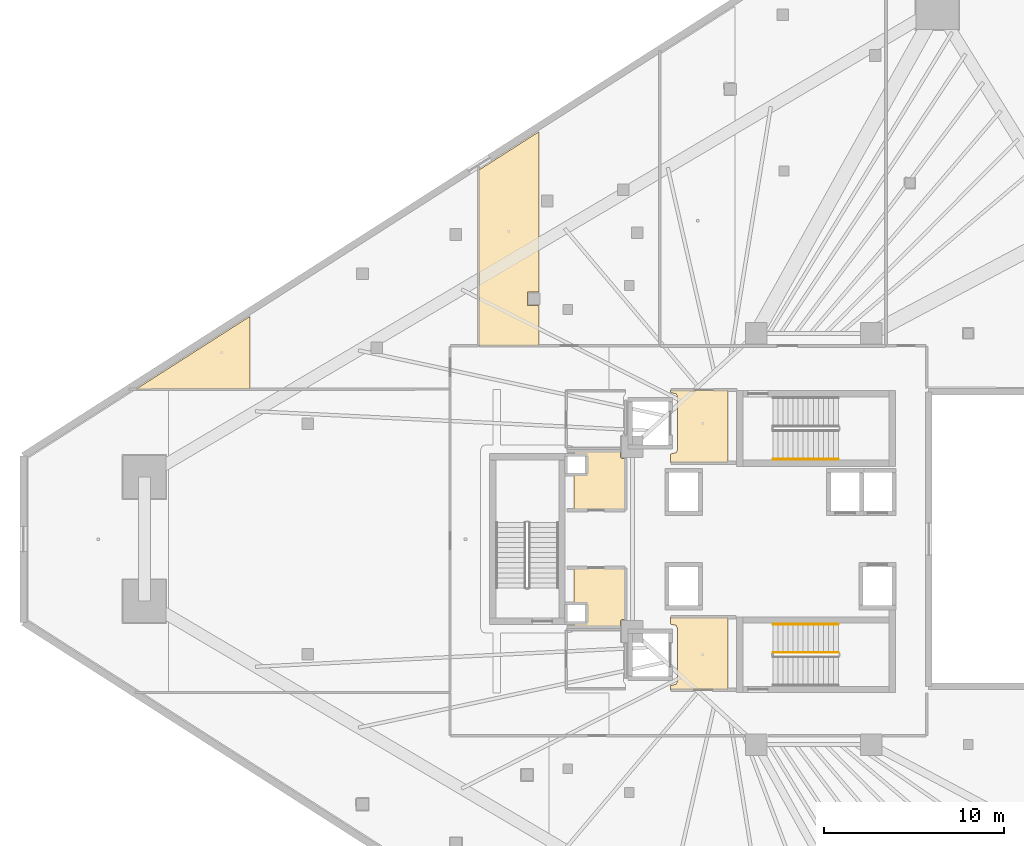
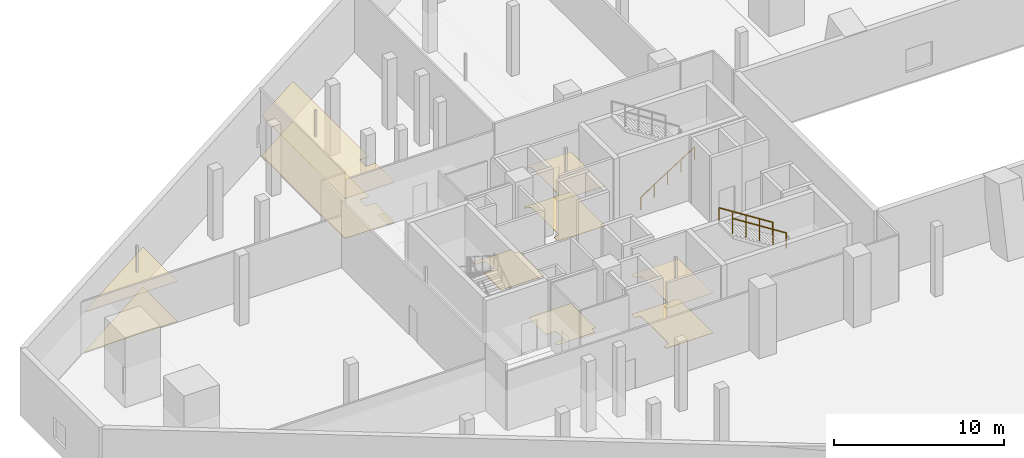
# One storey, part 42 of 46: 10 coverings, 3 railings.
"""IFC4 building model written with IfcOpenShell, lengths in metres."""

from ifc_helpers import new_model, si_unit, direction, frame, origin, origin_2d, place, context, subcontext, project, spatial, polyline, circle, outline, extrude, material, layer, layer_set, type_object, element, save


model = new_model("IFC4")

# Units and contexts
model_context = context("Model", 3, precision=1e-05, world=origin(), true_north=direction((0.0, 1.0)))
body_context = subcontext(model_context, "Body", "Model", "MODEL_VIEW")
ifc_project = project(units=[si_unit("LENGTHUNIT", "METRE"), si_unit("AREAUNIT", "SQUARE_METRE"), si_unit("VOLUMEUNIT", "CUBIC_METRE"), si_unit("PLANEANGLEUNIT", "RADIAN"), si_unit("MASSUNIT", "GRAM", prefix="KILO")], contexts=[model_context])

# Site, building, storey
site_placement = place(None, origin())
site = spatial("IfcSite", under=ifc_project, at=site_placement, CompositionType="ELEMENT")
building_placement = place(site_placement, origin())
building = spatial("IfcBuilding", under=site, at=building_placement, Name="Qorvath Tower", CompositionType="ELEMENT")
storey_placement = place(building_placement, frame((0.0, 0.0, 17.0)))
storey = spatial("IfcBuildingStorey", under=building, at=storey_placement, Name="L03", CompositionType="ELEMENT", Elevation=17.0)

# Coverings
ifc_material_1 = material(Name="Acoustic mineral fibre ceiling tile", Category="gypsum")
ifc_layer_1 = layer(ifc_material_1, 0.030029296875)
ifc_layer_set_1 = layer_set([ifc_layer_1], Name="COV-CEIL")
covering_type_1 = type_object("IfcCoveringType", Name="COV-CEIL", PredefinedType="CEILING", material=ifc_layer_set_1)
covering_1_placement = place(storey_placement, frame((0.0, 0.0, 2.85009765625)))
element("IfcCovering", 1, at=covering_1_placement, inside=storey, type_object=covering_type_1, Name="L03 Suspended Acoustic Ceiling 001", PredefinedType="CEILING", context=body_context, shape_type="SweptSolid", body=[
    extrude(outline(polyline([(-25.18994140625, 4.2548828125), (-25.18994140625, 8.294921875), (-28.375, 8.294921875), (-28.375, 8.159912109375), (-28.063232421875, 8.086669921875), (-27.989990234375, 7.909912109375), (-27.989990234375, 4.989990234375), (-28.063232421875, 4.813232421875), (-28.375, 4.739990234375), (-28.375, 4.2548828125), (-25.18994140625, 4.2548828125)])), origin(), (0.0, 0.0, 1.0), 0.030029296875),
])
covering_2_placement = place(storey_placement, frame((0.0, 0.0, 2.85009765625)))
element("IfcCovering", 2, at=covering_2_placement, inside=storey, type_object=covering_type_1, Name="L03 Suspended Acoustic Ceiling 002", PredefinedType="CEILING", context=body_context, shape_type="SweptSolid", body=[
    extrude(outline(polyline([(-25.18994140625, -8.39501953125), (-25.18994140625, -4.35498046875), (-28.375, -4.35498046875), (-28.375, -4.739990234375), (-28.063232421875, -4.813232421875), (-27.989990234375, -4.989990234375), (-27.989990234375, -7.909912109375), (-28.063232421875, -8.086669921875), (-28.375, -8.159912109375), (-28.375, -8.39501953125), (-25.18994140625, -8.39501953125)])), origin(), (0.0, 0.0, 1.0), 0.030029296875),
])
covering_3_placement = place(storey_placement, frame((0.0, 0.0, 2.85009765625)))
element("IfcCovering", 3, at=covering_3_placement, inside=storey, type_object=covering_type_1, Name="L03 Suspended Acoustic Ceiling 008", PredefinedType="CEILING", context=body_context, shape_type="SweptSolid", body=[
    extrude(outline(polyline([(-51.7939453125, 8.345947265625), (-51.7939453125, 12.405029296875), (-58.15380859375, 8.341064453125), (-51.7939453125, 8.345947265625)])), origin(), (0.0, 0.0, 1.0), 0.030029296875),
])
covering_4_placement = place(storey_placement, frame((0.0, 0.0, 2.85009765625)))
element("IfcCovering", 4, at=covering_4_placement, inside=storey, type_object=covering_type_1, Name="L03 Suspended Acoustic Ceiling 009", PredefinedType="CEILING", context=body_context, shape_type="SweptSolid", body=[
    extrude(outline(polyline([(-39.05615234375, 10.762939453125), (-35.699462890625, 10.762939453125), (-35.699462890625, 13.013427734375), (-36.34814453125, 13.013427734375), (-36.34814453125, 13.748291015625), (-35.699462890625, 13.748291015625), (-35.699462890625, 22.689697265625), (-39.05615234375, 20.54443359375), (-39.05615234375, 10.762939453125)])), origin(), (0.0, 0.0, 1.0), 0.030029296875),
])
ifc_material_2 = material(Name="Low-VOC modular carpet tile", Category="textile")
ifc_layer_2 = layer(ifc_material_2, 0.014892578125)
ifc_layer_set_2 = layer_set([ifc_layer_2], Name="COV-FLOOR-CPT")
covering_type_2 = type_object("IfcCoveringType", Name="COV-FLOOR-CPT", PredefinedType="FLOORING", material=ifc_layer_set_2)
covering_5_placement = place(storey_placement, origin())
element("IfcCovering", 5, at=covering_5_placement, inside=storey, type_object=covering_type_2, Name="L03 Floor Finish 004", PredefinedType="FLOORING", context=body_context, shape_type="SweptSolid", body=[
    extrude(outline(polyline([(-31.159912109375, 4.89501953125), (-33.760009765625, 4.89501953125), (-33.760009765625, 4.633056640625), (-33.08837890625, 4.631591796875), (-33.0869140625, 3.64208984375), (-33.760009765625, 3.636962890625), (-33.760009765625, 1.60498046875), (-30.885009765625, 1.60498046875), (-30.885009765625, 4.489990234375), (-31.10009765625, 4.489990234375), (-31.159912109375, 4.550048828125), (-31.159912109375, 4.89501953125)])), origin(), (0.0, 0.0, 1.0), 0.014892578125),
])
covering_6_placement = place(storey_placement, origin())
element("IfcCovering", 6, at=covering_6_placement, inside=storey, type_object=covering_type_2, Name="L03 Floor Finish 006", PredefinedType="FLOORING", context=body_context, shape_type="SweptSolid", body=[
    extrude(outline(polyline([(-30.885009765625, -4.489990234375), (-30.885009765625, -1.60498046875), (-33.760009765625, -1.60498046875), (-33.760009765625, -3.636962890625), (-33.08837890625, -3.638427734375), (-33.0869140625, -4.6279296875), (-33.760009765625, -4.633056640625), (-33.760009765625, -4.89501953125), (-31.159912109375, -4.89501953125), (-31.159912109375, -4.550048828125), (-31.10009765625, -4.489990234375), (-30.885009765625, -4.489990234375)])), origin(), (0.0, 0.0, 1.0), 0.014892578125),
])
covering_7_placement = place(storey_placement, origin())
element("IfcCovering", 7, at=covering_7_placement, inside=storey, type_object=covering_type_2, Name="L03 Floor Finish 008", PredefinedType="FLOORING", context=body_context, shape_type="SweptSolid", body=[
    extrude(outline(polyline([(-51.7939453125, 8.345947265625), (-51.7939453125, 12.405029296875), (-58.15380859375, 8.341064453125), (-51.7939453125, 8.345947265625)])), origin(), (0.0, 0.0, 1.0), 0.014892578125),
])
covering_8_placement = place(storey_placement, origin())
element("IfcCovering", 8, at=covering_8_placement, inside=storey, type_object=covering_type_2, Name="L03 Floor Finish 009", PredefinedType="FLOORING", context=body_context, shape_type="SweptSolid", body=[
    extrude(outline(polyline([(-39.05615234375, 10.762939453125), (-35.699462890625, 10.762939453125), (-35.699462890625, 13.013427734375), (-36.34814453125, 13.013427734375), (-36.34814453125, 13.748291015625), (-35.699462890625, 13.748291015625), (-35.699462890625, 22.689697265625), (-39.05615234375, 20.54443359375), (-39.05615234375, 10.762939453125)])), origin(), (0.0, 0.0, 1.0), 0.014892578125),
])
ifc_material_3 = material(Name="Polished epoxy terrazzo flooring", Category="concrete")
ifc_layer_3 = layer(ifc_material_3, 0.02001953125)
ifc_layer_set_3 = layer_set([ifc_layer_3], Name="COV-FLOOR-TRZ")
covering_type_3 = type_object("IfcCoveringType", Name="COV-FLOOR-TRZ", PredefinedType="FLOORING", material=ifc_layer_set_3)
covering_9_placement = place(storey_placement, origin())
element("IfcCovering", 9, at=covering_9_placement, inside=storey, type_object=covering_type_3, Name="L03 Floor Finish 001", PredefinedType="FLOORING", context=body_context, shape_type="SweptSolid", body=[
    extrude(outline(polyline([(-25.18994140625, 4.2548828125), (-25.18994140625, 8.294921875), (-28.375, 8.294921875), (-28.375, 8.159912109375), (-28.063232421875, 8.086669921875), (-27.989990234375, 7.909912109375), (-27.989990234375, 4.989990234375), (-28.063232421875, 4.813232421875), (-28.375, 4.739990234375), (-28.375, 4.2548828125), (-25.18994140625, 4.2548828125)])), origin(), (0.0, 0.0, 1.0), 0.014892578125),
])
covering_10_placement = place(storey_placement, origin())
element("IfcCovering", 10, at=covering_10_placement, inside=storey, type_object=covering_type_3, Name="L03 Floor Finish 002", PredefinedType="FLOORING", context=body_context, shape_type="SweptSolid", body=[
    extrude(outline(polyline([(-25.18994140625, -8.39501953125), (-25.18994140625, -4.35498046875), (-28.375, -4.35498046875), (-28.375, -4.739990234375), (-28.063232421875, -4.813232421875), (-27.989990234375, -4.989990234375), (-27.989990234375, -7.909912109375), (-28.063232421875, -8.086669921875), (-28.375, -8.159912109375), (-28.375, -8.39501953125), (-25.18994140625, -8.39501953125)])), origin(), (0.0, 0.0, 1.0), 0.014892578125),
])

# Railings
ifc_material_4 = material(Name="Painted galvanised steel", Category="steel")
railing_type_1 = type_object("IfcRailingType", Name="RL-STR-GRD", PredefinedType="GUARDRAIL", material=ifc_material_4)
railing_1_placement = place(storey_placement, frame((-19.030029296875, -6.320068359375, 2.678466796875)))
element("IfcRailing", 11, at=railing_1_placement, inside=storey, type_object=railing_type_1, Name="L03 TS2 stair guard 3", PredefinedType="GUARDRAIL", context=body_context, shape_type="SweptSolid", body=[
    extrude(circle(Radius=0.02392578125, at=origin_2d()), frame((0.0, 0.0, 1.076171875), z_axis=(-0.843111507901, 0.0, 0.53773877045), x_axis=(0.0, -1.0, 0.0)), (0.0, 0.0, 1.0), 4.317138671875),
    extrude(circle(Radius=0.02099609375, at=origin_2d()), origin(), (0.0, 0.0, 1.0), 1.052001953125),
    extrude(circle(Radius=0.02099609375, at=origin_2d()), frame((-0.909912109375, 0.0, 0.580322265625)), (0.0, 0.0, 1.0), 1.052001953125),
    extrude(circle(Radius=0.02099609375, at=origin_2d()), frame((-1.81982421875, 0.0, 1.16064453125)), (0.0, 0.0, 1.0), 1.052001953125),
    extrude(circle(Radius=0.02099609375, at=origin_2d()), frame((-2.72998046875, 0.0, 1.7412109375)), (0.0, 0.0, 1.0), 1.052001953125),
    extrude(circle(Radius=0.02099609375, at=origin_2d()), frame((-3.639892578125, 0.0, 2.321533203125)), (0.0, 0.0, 1.0), 1.052001953125),
])
ifc_material_5 = material(Name="Brushed stainless steel AISI 304", Category="steel")
railing_type_2 = type_object("IfcRailingType", Name="RL-STR-HND", PredefinedType="HANDRAIL", material=ifc_material_5)
railing_2_placement = place(storey_placement, frame((-22.669921875, 4.449951171875, 0.178466796875)))
element("IfcRailing", 12, at=railing_2_placement, inside=storey, type_object=railing_type_2, Name="L03 TS1 stair handrail 1", PredefinedType="HANDRAIL", context=body_context, shape_type="SweptSolid", body=[
    extrude(circle(Radius=0.02392578125, at=origin_2d()), frame((0.0, 0.0, 0.8759765625), z_axis=(0.843111507901, 0.0, 0.53773877045), x_axis=(0.0, 1.0, 0.0)), (0.0, 0.0, 1.0), 4.317138671875),
    extrude(circle(Radius=0.02099609375, at=origin_2d()), origin(), (0.0, 0.0, 1.0), 0.851806640625),
    extrude(circle(Radius=0.02099609375, at=origin_2d()), frame((0.909912109375, 0.0, 0.580322265625)), (0.0, 0.0, 1.0), 0.851806640625),
    extrude(circle(Radius=0.02099609375, at=origin_2d()), frame((1.81982421875, 0.0, 1.16064453125)), (0.0, 0.0, 1.0), 0.851806640625),
    extrude(circle(Radius=0.02099609375, at=origin_2d()), frame((2.72998046875, 0.0, 1.7412109375)), (0.0, 0.0, 1.0), 0.851806640625),
    extrude(circle(Radius=0.02099609375, at=origin_2d()), frame((3.639892578125, 0.0, 2.321533203125)), (0.0, 0.0, 1.0), 0.851806640625),
])
railing_3_placement = place(storey_placement, frame((-19.030029296875, -4.739990234375, 2.678466796875)))
element("IfcRailing", 13, at=railing_3_placement, inside=storey, type_object=railing_type_2, Name="L03 TS2 stair handrail 2", PredefinedType="HANDRAIL", context=body_context, shape_type="SweptSolid", body=[
    extrude(circle(Radius=0.02392578125, at=origin_2d()), frame((0.0, 0.0, 0.8759765625), z_axis=(-0.843111507901, 0.0, 0.53773877045), x_axis=(0.0, -1.0, 0.0)), (0.0, 0.0, 1.0), 4.317138671875),
    extrude(circle(Radius=0.02099609375, at=origin_2d()), origin(), (0.0, 0.0, 1.0), 0.851806640625),
    extrude(circle(Radius=0.02099609375, at=origin_2d()), frame((-0.909912109375, 0.0, 0.580322265625)), (0.0, 0.0, 1.0), 0.851806640625),
    extrude(circle(Radius=0.02099609375, at=origin_2d()), frame((-1.81982421875, 0.0, 1.16064453125)), (0.0, 0.0, 1.0), 0.851806640625),
    extrude(circle(Radius=0.02099609375, at=origin_2d()), frame((-2.72998046875, 0.0, 1.7412109375)), (0.0, 0.0, 1.0), 0.851806640625),
    extrude(circle(Radius=0.02099609375, at=origin_2d()), frame((-3.639892578125, 0.0, 2.321533203125)), (0.0, 0.0, 1.0), 0.851806640625),
])

save(model, "model.ifc")
